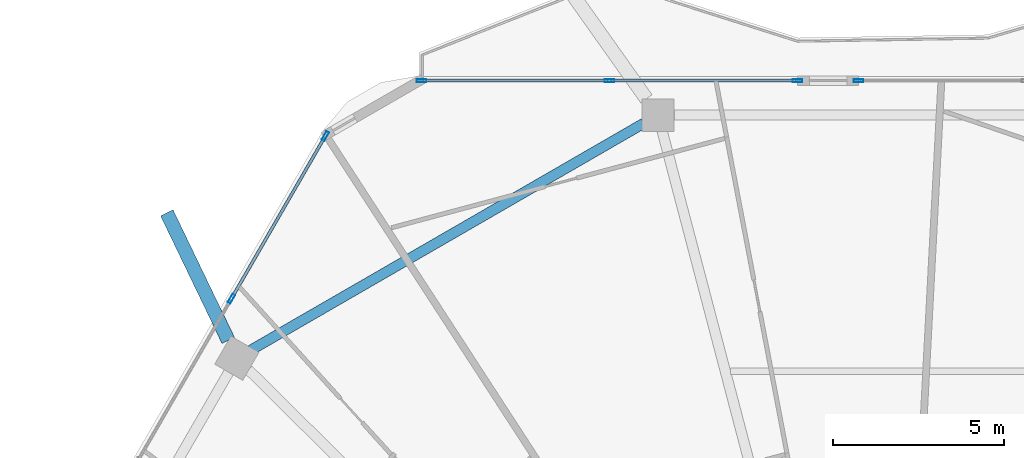
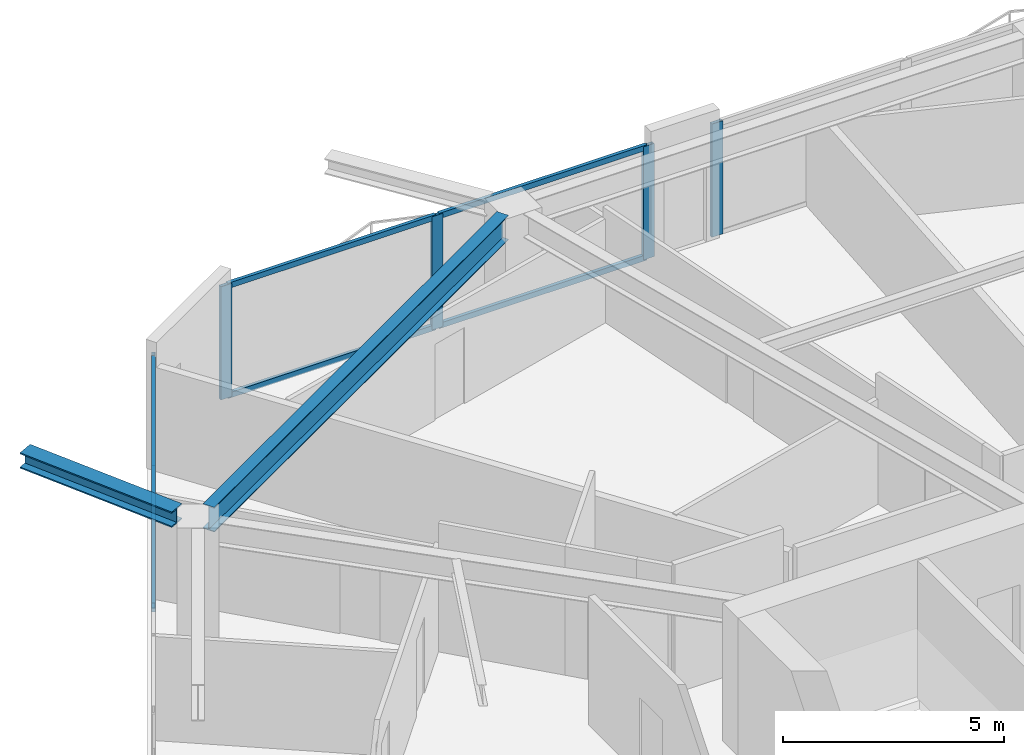
# One storey, part 14 of 27: 12 members, 2 beams, 3 elements without a shape of their own.
"""IFC4 building model written with IfcOpenShell, lengths in metres."""

from ifc_helpers import new_model, si_unit, direction, frame, origin, origin_2d, place, context, subcontext, project, spatial, hollow_rectangle, i_section, extrude, material, material_profile, profile_set, type_object, element, aggregate, save


model = new_model("IFC4")

# Units and contexts
model_context = context("Model", 3, precision=1e-05, world=origin(), true_north=direction((0.0, 1.0)))
body_context = subcontext(model_context, "Body", "Model", "MODEL_VIEW")
ifc_project = project(units=[si_unit("LENGTHUNIT", "METRE"), si_unit("AREAUNIT", "SQUARE_METRE"), si_unit("VOLUMEUNIT", "CUBIC_METRE"), si_unit("PLANEANGLEUNIT", "RADIAN"), si_unit("MASSUNIT", "GRAM", prefix="KILO")], contexts=[model_context])

# Site, building, storey
site_placement = place(None, origin())
site = spatial("IfcSite", under=ifc_project, at=site_placement, CompositionType="ELEMENT")
building_placement = place(site_placement, origin())
building = spatial("IfcBuilding", under=site, at=building_placement, Name="Zuhravey Tower", CompositionType="ELEMENT")
storey_placement = place(building_placement, frame((0.0, 0.0, 218.800048828125)))
storey = spatial("IfcBuildingStorey", under=building, at=storey_placement, Name="L55", CompositionType="ELEMENT", Elevation=218.800048828125)

# Curtain wall, members
ifc_material_1 = material(Name="Thermally broken anodised aluminium", Category="aluminium")
curtain_wall_type = type_object("IfcCurtainWallType", Name="Zone 1-2 Residential Curtain Wall CW3", PredefinedType="NOTDEFINED", material=ifc_material_1)
curtain_wall_1_placement = place(storey_placement, origin())
curtain_wall_1 = element("IfcCurtainWall", 1, at=curtain_wall_1_placement, inside=storey, type_object=curtain_wall_type, Name="L55 CW3 CW-L55-F3-1", PredefinedType="NOTDEFINED")
ifc_material_2 = material(Name="Anodised aluminium", Category="aluminium")
ifc_material_profile_1 = material_profile(ifc_material_2, hollow_rectangle(XDim=0.090087890625, YDim=0.284912109375, WallThickness=0.0048828125, at=origin_2d()), Name="ALU-RHS-90x285x5")
ifc_profile_set_1 = profile_set([ifc_material_profile_1], Name="Anodised aluminium")
member_type_1 = type_object("IfcMemberType", Name="Curtain-Wall Mullion 90x180", PredefinedType="MULLION", material=ifc_profile_set_1)
member_1_placement = place(storey_placement, frame((16.6171875, 52.7939453125, 0.0), z_axis=(0.0, 0.0, 1.0), x_axis=(-0.866025138215, 0.500000459979, 0.0)))
member_1 = element("IfcMember", 2, at=member_1_placement, type_object=member_type_1, Name="CW3 mullion 5", PredefinedType="MULLION", context=body_context, shape_type="SweptSolid", body=[
    extrude(hollow_rectangle(XDim=0.090087890625, YDim=0.284912109375, WallThickness=0.0048828125, at=origin_2d()), origin(), (0.0, 0.0, 1.0), 3.1220703125),
])
member_2_placement = place(storey_placement, frame((19.36669921875, 57.556640625, 0.0), z_axis=(0.0, 0.0, 1.0), x_axis=(-0.866025138215, 0.500000459979, 0.0)))
member_2 = element("IfcMember", 3, at=member_2_placement, type_object=member_type_1, Name="CW3 mullion 6", PredefinedType="MULLION", context=body_context, shape_type="SweptSolid", body=[
    extrude(hollow_rectangle(XDim=0.090087890625, YDim=0.284912109375, WallThickness=0.0048828125, at=origin_2d()), origin(), (0.0, 0.0, 1.0), 3.1220703125),
])

curtain_wall_2_placement = place(storey_placement, origin())
curtain_wall_2 = element("IfcCurtainWall", 4, at=curtain_wall_2_placement, inside=storey, type_object=curtain_wall_type, Name="L55 CW3 CW-L55-F2-1", PredefinedType="NOTDEFINED")
member_3_placement = place(storey_placement, frame((22.183837890625, 59.18310546875, 0.0), z_axis=(0.0, 0.0, 1.0), x_axis=(0.0, 1.0, 0.0)))
member_3 = element("IfcMember", 5, at=member_3_placement, type_object=member_type_1, Name="CW3 mullion 1", PredefinedType="MULLION", context=body_context, shape_type="SweptSolid", body=[
    extrude(hollow_rectangle(XDim=0.090087890625, YDim=0.284912109375, WallThickness=0.0048828125, at=origin_2d()), origin(), (0.0, 0.0, 1.0), 3.1220703125),
])
member_4_placement = place(storey_placement, frame((27.695556640625, 59.18310546875, 0.0), z_axis=(0.0, 0.0, 1.0), x_axis=(0.0, 1.0, 0.0)))
member_4 = element("IfcMember", 6, at=member_4_placement, type_object=member_type_1, Name="CW3 mullion 2", PredefinedType="MULLION", context=body_context, shape_type="SweptSolid", body=[
    extrude(hollow_rectangle(XDim=0.090087890625, YDim=0.284912109375, WallThickness=0.0048828125, at=origin_2d()), origin(), (0.0, 0.0, 1.0), 3.1220703125),
])
member_5_placement = place(storey_placement, frame((33.20703125, 59.18310546875, 0.0), z_axis=(0.0, 0.0, 1.0), x_axis=(0.0, 1.0, 0.0)))
member_5 = element("IfcMember", 7, at=member_5_placement, type_object=member_type_1, Name="CW3 mullion 3", PredefinedType="MULLION", context=body_context, shape_type="SweptSolid", body=[
    extrude(hollow_rectangle(XDim=0.090087890625, YDim=0.284912109375, WallThickness=0.0048828125, at=origin_2d()), origin(), (0.0, 0.0, 1.0), 3.1220703125),
])

# Curtain wall, member
curtain_wall_3_placement = place(storey_placement, origin())
curtain_wall_3 = element("IfcCurtainWall", 8, at=curtain_wall_3_placement, inside=storey, type_object=curtain_wall_type, Name="L55 CW3 CW-L55-F2-2", PredefinedType="NOTDEFINED")
member_6_placement = place(storey_placement, frame((34.9970703125, 59.18310546875, 0.0), z_axis=(0.0, 0.0, 1.0), x_axis=(0.0, 1.0, 0.0)))
member_6 = element("IfcMember", 9, at=member_6_placement, type_object=member_type_1, Name="CW3 mullion 1", PredefinedType="MULLION", context=body_context, shape_type="SweptSolid", body=[
    extrude(hollow_rectangle(XDim=0.090087890625, YDim=0.284912109375, WallThickness=0.0048828125, at=origin_2d()), origin(), (0.0, 0.0, 1.0), 3.1220703125),
])
aggregate(curtain_wall_3, [member_6])

# Member
ifc_material_profile_2 = material_profile(ifc_material_2, hollow_rectangle(XDim=0.090087890625, YDim=0.14990234375, WallThickness=0.0048828125, at=origin_2d()), Name="ALU-RHS-90x150x5")
ifc_profile_set_2 = profile_set([ifc_material_profile_2], Name="Anodised aluminium")
member_type_2 = type_object("IfcMemberType", Name="Curtain-Wall Transom 90x150", PredefinedType="USERDEFINED", material=ifc_profile_set_2)
member_7_placement = place(storey_placement, frame((16.6396484375, 52.8330078125, 0.044921875), z_axis=(0.499993332629, 0.866029253159, 0.0), x_axis=(-0.866029253159, 0.499993332629, 0.0)))
member_7 = element("IfcMember", 10, at=member_7_placement, type_object=member_type_2, Name="CW3 transom 5.1", ObjectType="TRANSOM", PredefinedType="USERDEFINED", context=body_context, shape_type="SweptSolid", body=[
    extrude(hollow_rectangle(XDim=0.090087890625, YDim=0.14990234375, WallThickness=0.0048828125, at=origin_2d()), origin(), (0.0, 0.0, 1.0), 5.4091796875),
])

member_8_placement = place(storey_placement, frame((16.6396484375, 52.8330078125, 3.076904296875), z_axis=(0.499993332629, 0.866029253159, 0.0), x_axis=(-0.866029253159, 0.499993332629, 0.0)))
member_8 = element("IfcMember", 11, at=member_8_placement, type_object=member_type_2, Name="CW3 transom 5.2", ObjectType="TRANSOM", PredefinedType="USERDEFINED", context=body_context, shape_type="SweptSolid", body=[
    extrude(hollow_rectangle(XDim=0.090087890625, YDim=0.14990234375, WallThickness=0.0048828125, at=origin_2d()), origin(), (0.0, 0.0, 1.0), 5.4091796875),
])

aggregate(curtain_wall_1, [member_1, member_2, member_7, member_8])

member_9_placement = place(storey_placement, frame((22.22900390625, 59.18310546875, 0.044921875), z_axis=(1.0, 0.0, 0.0), x_axis=(0.0, 1.0, 0.0)))
member_9 = element("IfcMember", 12, at=member_9_placement, type_object=member_type_2, Name="CW3 transom 1.1", ObjectType="TRANSOM", PredefinedType="USERDEFINED", context=body_context, shape_type="SweptSolid", body=[
    extrude(hollow_rectangle(XDim=0.090087890625, YDim=0.14990234375, WallThickness=0.0048828125, at=origin_2d()), origin(), (0.0, 0.0, 1.0), 5.42138671875),
])

member_10_placement = place(storey_placement, frame((22.22900390625, 59.18310546875, 3.076904296875), z_axis=(1.0, 0.0, 0.0), x_axis=(0.0, 1.0, 0.0)))
member_10 = element("IfcMember", 13, at=member_10_placement, type_object=member_type_2, Name="CW3 transom 1.2", ObjectType="TRANSOM", PredefinedType="USERDEFINED", context=body_context, shape_type="SweptSolid", body=[
    extrude(hollow_rectangle(XDim=0.090087890625, YDim=0.14990234375, WallThickness=0.0048828125, at=origin_2d()), origin(), (0.0, 0.0, 1.0), 5.42138671875),
])

member_11_placement = place(storey_placement, frame((27.740478515625, 59.18310546875, 0.044921875), z_axis=(1.0, 0.0, 0.0), x_axis=(0.0, 1.0, 0.0)))
member_11 = element("IfcMember", 14, at=member_11_placement, type_object=member_type_2, Name="CW3 transom 2.1", ObjectType="TRANSOM", PredefinedType="USERDEFINED", context=body_context, shape_type="SweptSolid", body=[
    extrude(hollow_rectangle(XDim=0.090087890625, YDim=0.14990234375, WallThickness=0.0048828125, at=origin_2d()), origin(), (0.0, 0.0, 1.0), 5.421630859375),
])

member_12_placement = place(storey_placement, frame((27.740478515625, 59.18310546875, 3.076904296875), z_axis=(1.0, 0.0, 0.0), x_axis=(0.0, 1.0, 0.0)))
member_12 = element("IfcMember", 15, at=member_12_placement, type_object=member_type_2, Name="CW3 transom 2.2", ObjectType="TRANSOM", PredefinedType="USERDEFINED", context=body_context, shape_type="SweptSolid", body=[
    extrude(hollow_rectangle(XDim=0.090087890625, YDim=0.14990234375, WallThickness=0.0048828125, at=origin_2d()), origin(), (0.0, 0.0, 1.0), 5.421630859375),
])

aggregate(curtain_wall_2, [member_3, member_4, member_5, member_9, member_10, member_11, member_12])

# Beams
ifc_material_3 = material(Name="Steel SM460", Category="steel")
ifc_material_profile_3 = material_profile(ifc_material_3, i_section(OverallWidth=0.406982421875, OverallDepth=0.427978515625, WebThickness=0.02001953125, FlangeThickness=0.034912109375, at=origin_2d()), Name="H-428x407x20x35")
ifc_profile_set_3 = profile_set([ifc_material_profile_3], Name="Steel SM460")
beam_type_1 = type_object("IfcBeamType", Name="Exoskeleton Node Tie Beam H428x407", PredefinedType="BEAM", material=ifc_profile_set_3)
beam_1_placement = place(storey_placement, frame((16.5234375, 51.568115234375, 3.3359375), z_axis=(-0.433847451393, 0.900986342249, 0.0), x_axis=(-0.900986342249, -0.433847451393, 0.0)))
element("IfcBeam", 16, at=beam_1_placement, inside=storey, type_object=beam_type_1, Name="L55 Exoskeleton Node Tie NT1-05", PredefinedType="BEAM", context=body_context, shape_type="SweptSolid", body=[
    extrude(i_section(OverallWidth=0.406982421875, OverallDepth=0.427978515625, WebThickness=0.02001953125, FlangeThickness=0.034912109375, at=origin_2d()), origin(), (0.0, 0.0, 1.0), 4.150634765625),
])
ifc_material_4 = material(Name="Steel SM355", Category="steel")
ifc_material_profile_4 = material_profile(ifc_material_4, i_section(OverallWidth=0.300048828125, OverallDepth=0.679931640625, WebThickness=0.012939453125, FlangeThickness=0.02197265625, at=origin_2d()), Name="H-680x300x13x22")
ifc_profile_set_4 = profile_set([ifc_material_profile_4], Name="Steel SM355")
beam_type_2 = type_object("IfcBeamType", Name="Perimeter Ring Beam H680x300", PredefinedType="BEAM", material=ifc_profile_set_4)
beam_2_placement = place(storey_placement, frame((28.7041015625, 57.93408203125, 3.2099609375), z_axis=(-0.866029041019, -0.499993700073, 0.0), x_axis=(0.499993700073, -0.866029041019, 0.0)))
element("IfcBeam", 17, at=beam_2_placement, inside=storey, type_object=beam_type_2, Name="L55 PB2 BM-L55-PB-04", PredefinedType="BEAM", context=body_context, shape_type="SweptSolid", body=[
    extrude(i_section(OverallWidth=0.300048828125, OverallDepth=0.679931640625, WebThickness=0.012939453125, FlangeThickness=0.02197265625, at=origin_2d()), origin(), (0.0, 0.0, 1.0), 13.297119140625),
])

save(model, "model.ifc")
